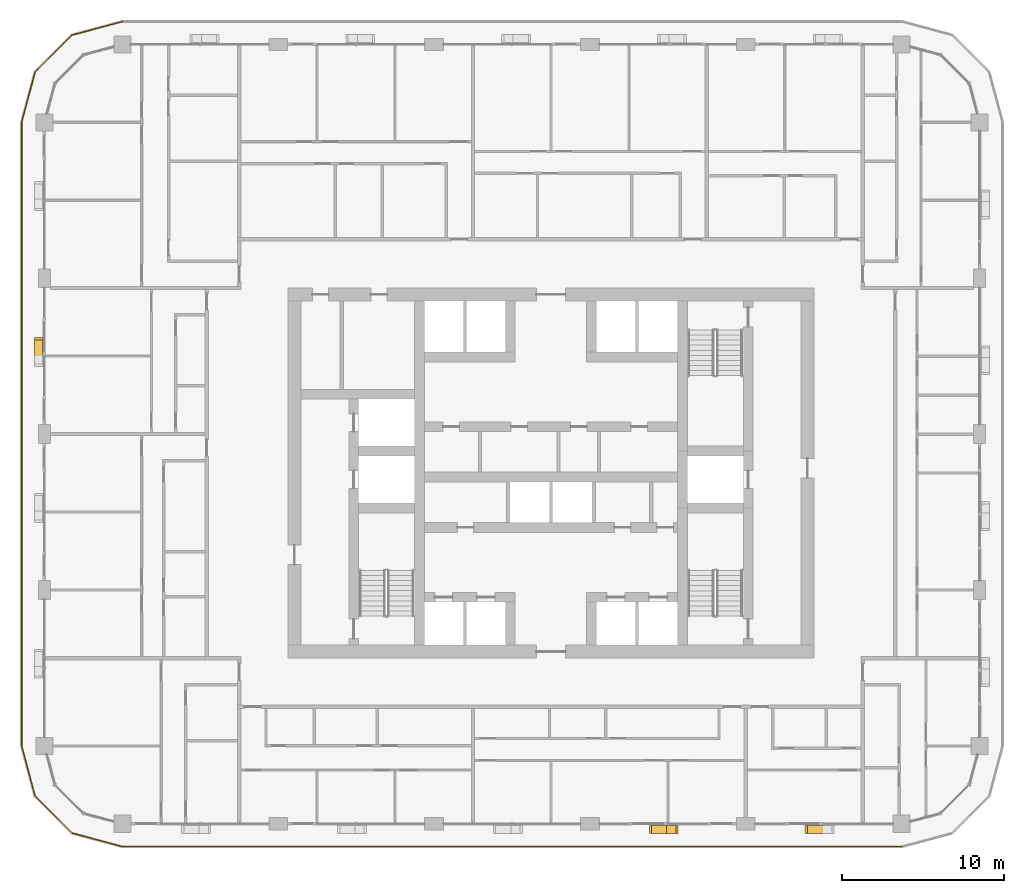
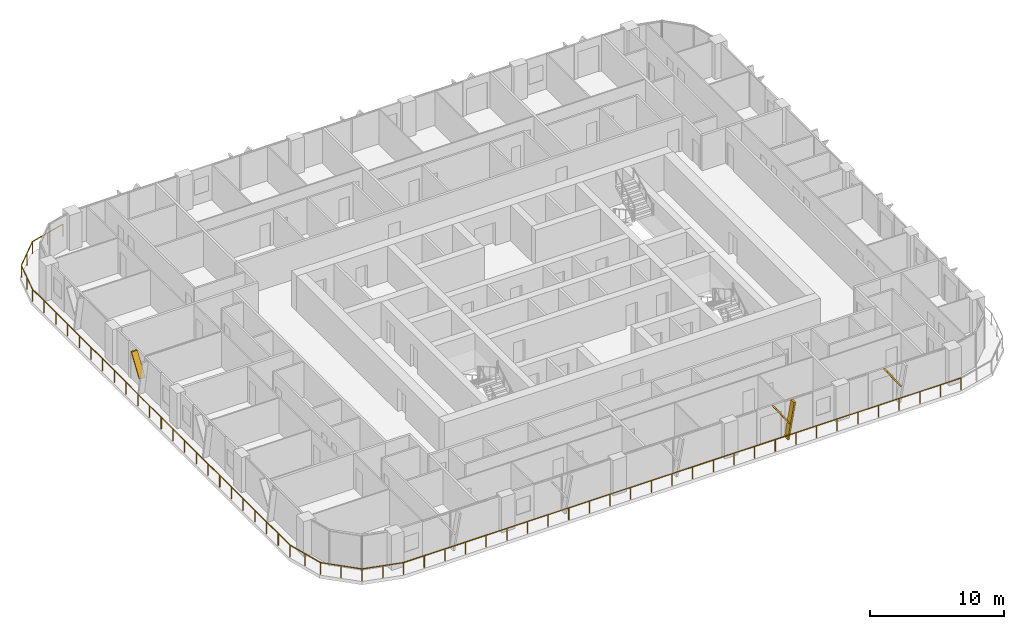
# One storey, part 18 of 22: 4 shading devices, 1 railing.
"""IFC4 building model written with IfcOpenShell, lengths in metres."""

from ifc_helpers import new_model, si_unit, direction, frame, origin, origin_2d, place, context, subcontext, project, spatial, polyline, circle, outline, extrude, material, type_object, element, save


model = new_model("IFC4")

# Units and contexts
model_context = context("Model", 3, precision=1e-05, world=origin(), true_north=direction((0.0, 1.0)))
body_context = subcontext(model_context, "Body", "Model", "MODEL_VIEW")
ifc_project = project(units=[si_unit("LENGTHUNIT", "METRE"), si_unit("AREAUNIT", "SQUARE_METRE"), si_unit("VOLUMEUNIT", "CUBIC_METRE"), si_unit("PLANEANGLEUNIT", "RADIAN"), si_unit("MASSUNIT", "GRAM", prefix="KILO")], contexts=[model_context])

# Site, building, storey
site_placement = place(None, origin())
site = spatial("IfcSite", under=ifc_project, at=site_placement, CompositionType="ELEMENT")
building_placement = place(site_placement, origin())
building = spatial("IfcBuilding", under=site, at=building_placement, Name="Madar Terraces", CompositionType="ELEMENT")
storey_placement = place(building_placement, frame((0.0, 0.0, 126.10009765625)))
storey = spatial("IfcBuildingStorey", under=building, at=storey_placement, Name="L32", CompositionType="ELEMENT", Elevation=126.10009765625)

# Railing
ifc_material_1 = material(Name="Glass, safety glazing, with stainless steel posts", Category="steel")
railing_type = type_object("IfcRailingType", Name="Balcony glass guard 1100", PredefinedType="GUARDRAIL", material=ifc_material_1)
railing_placement = place(storey_placement, frame((4.800048828125, 54.199951171875, 0.0)))
element("IfcRailing", 1, at=railing_placement, inside=storey, type_object=railing_type, Name="Balcony guard", PredefinedType="GUARDRAIL", context=body_context, shape_type="SweptSolid", body=[
    extrude(circle(Radius=0.02392578125, at=origin_2d()), frame((0.0, 0.0, 1.076171875), z_axis=(-0.9659337912, -0.258789317819, 0.0), x_axis=(0.258789317819, -0.9659337912, 0.0)), (0.0, 0.0, 1.0), 3.20947265625),
    extrude(circle(Radius=0.02392578125, at=origin_2d()), frame((-3.10009765625, -0.83056640625, 1.076171875), z_axis=(-0.707106781187, -0.707106781187, 0.0), x_axis=(0.707106781187, -0.707106781187, 0.0)), (0.0, 0.0, 1.0), 3.209228515625),
    extrude(circle(Radius=0.02392578125, at=origin_2d()), frame((-5.369384765625, -3.099853515625, 1.076171875), z_axis=(-0.258789317819, -0.9659337912, 0.0), x_axis=(0.9659337912, -0.258789317819, 0.0)), (0.0, 0.0, 1.0), 3.20947265625),
    extrude(circle(Radius=0.02392578125, at=origin_2d()), frame((-6.199951171875, -6.199951171875, 1.076171875), z_axis=(0.0, -1.0, 0.0), x_axis=(1.0, 0.0, 0.0)), (0.0, 0.0, 1.0), 38.39990234375),
    extrude(circle(Radius=0.02392578125, at=origin_2d()), frame((-6.199951171875, -44.599853515625, 1.076171875), z_axis=(0.258789317819, -0.9659337912, 0.0), x_axis=(0.9659337912, 0.258789317819, 0.0)), (0.0, 0.0, 1.0), 3.20947265625),
    extrude(circle(Radius=0.02392578125, at=origin_2d()), frame((-5.369384765625, -47.699951171875, 1.076171875), z_axis=(0.707106781187, -0.707106781187, 0.0), x_axis=(0.707106781187, 0.707106781187, 0.0)), (0.0, 0.0, 1.0), 3.209228515625),
    extrude(circle(Radius=0.02392578125, at=origin_2d()), frame((-3.10009765625, -49.96923828125, 1.076171875), z_axis=(0.965914773555, -0.258860290944, 0.0), x_axis=(0.258860290944, 0.965914773555, 0.0)), (0.0, 0.0, 1.0), 3.20947265625),
    extrude(circle(Radius=0.02392578125, at=origin_2d()), frame((0.0, -50.800048828125, 1.076171875), z_axis=(1.0, 0.0, 0.0), x_axis=(0.0, 1.0, 0.0)), (0.0, 0.0, 1.0), 48.0),
    extrude(circle(Radius=0.02099609375, at=origin_2d()), origin(), (0.0, 0.0, 1.0), 1.052001953125),
    extrude(circle(Radius=0.02099609375, at=origin_2d()), frame((-1.550048828125, -0.415283203125, 0.0)), (0.0, 0.0, 1.0), 1.052001953125),
    extrude(circle(Radius=0.02099609375, at=origin_2d()), frame((-3.10009765625, -0.83056640625, 0.0)), (0.0, 0.0, 1.0), 1.052001953125),
    extrude(circle(Radius=0.02099609375, at=origin_2d()), frame((-4.23486328125, -1.96533203125, 0.0)), (0.0, 0.0, 1.0), 1.052001953125),
    extrude(circle(Radius=0.02099609375, at=origin_2d()), frame((-5.369384765625, -3.099853515625, 0.0)), (0.0, 0.0, 1.0), 1.052001953125),
    extrude(circle(Radius=0.02099609375, at=origin_2d()), frame((-5.78466796875, -4.64990234375, 0.0)), (0.0, 0.0, 1.0), 1.052001953125),
    extrude(circle(Radius=0.02099609375, at=origin_2d()), frame((-6.199951171875, -6.199951171875, 0.0)), (0.0, 0.0, 1.0), 1.052001953125),
    extrude(circle(Radius=0.02099609375, at=origin_2d()), frame((-6.199951171875, -7.9453125, 0.0)), (0.0, 0.0, 1.0), 1.052001953125),
    extrude(circle(Radius=0.02099609375, at=origin_2d()), frame((-6.199951171875, -9.69091796875, 0.0)), (0.0, 0.0, 1.0), 1.052001953125),
    extrude(circle(Radius=0.02099609375, at=origin_2d()), frame((-6.199951171875, -11.436279296875, 0.0)), (0.0, 0.0, 1.0), 1.052001953125),
    extrude(circle(Radius=0.02099609375, at=origin_2d()), frame((-6.199951171875, -13.181640625, 0.0)), (0.0, 0.0, 1.0), 1.052001953125),
    extrude(circle(Radius=0.02099609375, at=origin_2d()), frame((-6.199951171875, -14.92724609375, 0.0)), (0.0, 0.0, 1.0), 1.052001953125),
    extrude(circle(Radius=0.02099609375, at=origin_2d()), frame((-6.199951171875, -16.672607421875, 0.0)), (0.0, 0.0, 1.0), 1.052001953125),
    extrude(circle(Radius=0.02099609375, at=origin_2d()), frame((-6.199951171875, -18.418212890625, 0.0)), (0.0, 0.0, 1.0), 1.052001953125),
    extrude(circle(Radius=0.02099609375, at=origin_2d()), frame((-6.199951171875, -20.16357421875, 0.0)), (0.0, 0.0, 1.0), 1.052001953125),
    extrude(circle(Radius=0.02099609375, at=origin_2d()), frame((-6.199951171875, -21.908935546875, 0.0)), (0.0, 0.0, 1.0), 1.052001953125),
    extrude(circle(Radius=0.02099609375, at=origin_2d()), frame((-6.199951171875, -23.654541015625, 0.0)), (0.0, 0.0, 1.0), 1.052001953125),
    extrude(circle(Radius=0.02099609375, at=origin_2d()), frame((-6.199951171875, -25.39990234375, 0.0)), (0.0, 0.0, 1.0), 1.052001953125),
    extrude(circle(Radius=0.02099609375, at=origin_2d()), frame((-6.199951171875, -27.145263671875, 0.0)), (0.0, 0.0, 1.0), 1.052001953125),
    extrude(circle(Radius=0.02099609375, at=origin_2d()), frame((-6.199951171875, -28.890869140625, 0.0)), (0.0, 0.0, 1.0), 1.052001953125),
    extrude(circle(Radius=0.02099609375, at=origin_2d()), frame((-6.199951171875, -30.63623046875, 0.0)), (0.0, 0.0, 1.0), 1.052001953125),
    extrude(circle(Radius=0.02099609375, at=origin_2d()), frame((-6.199951171875, -32.381591796875, 0.0)), (0.0, 0.0, 1.0), 1.052001953125),
    extrude(circle(Radius=0.02099609375, at=origin_2d()), frame((-6.199951171875, -34.127197265625, 0.0)), (0.0, 0.0, 1.0), 1.052001953125),
    extrude(circle(Radius=0.02099609375, at=origin_2d()), frame((-6.199951171875, -35.87255859375, 0.0)), (0.0, 0.0, 1.0), 1.052001953125),
    extrude(circle(Radius=0.02099609375, at=origin_2d()), frame((-6.199951171875, -37.6181640625, 0.0)), (0.0, 0.0, 1.0), 1.052001953125),
    extrude(circle(Radius=0.02099609375, at=origin_2d()), frame((-6.199951171875, -39.363525390625, 0.0)), (0.0, 0.0, 1.0), 1.052001953125),
    extrude(circle(Radius=0.02099609375, at=origin_2d()), frame((-6.199951171875, -41.10888671875, 0.0)), (0.0, 0.0, 1.0), 1.052001953125),
    extrude(circle(Radius=0.02099609375, at=origin_2d()), frame((-6.199951171875, -42.8544921875, 0.0)), (0.0, 0.0, 1.0), 1.052001953125),
    extrude(circle(Radius=0.02099609375, at=origin_2d()), frame((-6.199951171875, -44.599853515625, 0.0)), (0.0, 0.0, 1.0), 1.052001953125),
    extrude(circle(Radius=0.02099609375, at=origin_2d()), frame((-5.78466796875, -46.14990234375, 0.0)), (0.0, 0.0, 1.0), 1.052001953125),
    extrude(circle(Radius=0.02099609375, at=origin_2d()), frame((-5.369384765625, -47.699951171875, 0.0)), (0.0, 0.0, 1.0), 1.052001953125),
    extrude(circle(Radius=0.02099609375, at=origin_2d()), frame((-4.23486328125, -48.83447265625, 0.0)), (0.0, 0.0, 1.0), 1.052001953125),
    extrude(circle(Radius=0.02099609375, at=origin_2d()), frame((-3.10009765625, -49.96923828125, 0.0)), (0.0, 0.0, 1.0), 1.052001953125),
    extrude(circle(Radius=0.02099609375, at=origin_2d()), frame((-1.550048828125, -50.384765625, 0.0)), (0.0, 0.0, 1.0), 1.052001953125),
    extrude(circle(Radius=0.02099609375, at=origin_2d()), frame((0.0, -50.800048828125, 0.0)), (0.0, 0.0, 1.0), 1.052001953125),
    extrude(circle(Radius=0.02099609375, at=origin_2d()), frame((1.77783203125, -50.800048828125, 0.0)), (0.0, 0.0, 1.0), 1.052001953125),
    extrude(circle(Radius=0.02099609375, at=origin_2d()), frame((3.5556640625, -50.800048828125, 0.0)), (0.0, 0.0, 1.0), 1.052001953125),
    extrude(circle(Radius=0.02099609375, at=origin_2d()), frame((5.333251953125, -50.800048828125, 0.0)), (0.0, 0.0, 1.0), 1.052001953125),
    extrude(circle(Radius=0.02099609375, at=origin_2d()), frame((7.111083984375, -50.800048828125, 0.0)), (0.0, 0.0, 1.0), 1.052001953125),
    extrude(circle(Radius=0.02099609375, at=origin_2d()), frame((8.888916015625, -50.800048828125, 0.0)), (0.0, 0.0, 1.0), 1.052001953125),
    extrude(circle(Radius=0.02099609375, at=origin_2d()), frame((10.666748046875, -50.800048828125, 0.0)), (0.0, 0.0, 1.0), 1.052001953125),
    extrude(circle(Radius=0.02099609375, at=origin_2d()), frame((12.4443359375, -50.800048828125, 0.0)), (0.0, 0.0, 1.0), 1.052001953125),
    extrude(circle(Radius=0.02099609375, at=origin_2d()), frame((14.22216796875, -50.800048828125, 0.0)), (0.0, 0.0, 1.0), 1.052001953125),
    extrude(circle(Radius=0.02099609375, at=origin_2d()), frame((16.0, -50.800048828125, 0.0)), (0.0, 0.0, 1.0), 1.052001953125),
    extrude(circle(Radius=0.02099609375, at=origin_2d()), frame((17.77783203125, -50.800048828125, 0.0)), (0.0, 0.0, 1.0), 1.052001953125),
    extrude(circle(Radius=0.02099609375, at=origin_2d()), frame((19.5556640625, -50.800048828125, 0.0)), (0.0, 0.0, 1.0), 1.052001953125),
    extrude(circle(Radius=0.02099609375, at=origin_2d()), frame((21.333251953125, -50.800048828125, 0.0)), (0.0, 0.0, 1.0), 1.052001953125),
    extrude(circle(Radius=0.02099609375, at=origin_2d()), frame((23.111083984375, -50.800048828125, 0.0)), (0.0, 0.0, 1.0), 1.052001953125),
    extrude(circle(Radius=0.02099609375, at=origin_2d()), frame((24.888916015625, -50.800048828125, 0.0)), (0.0, 0.0, 1.0), 1.052001953125),
    extrude(circle(Radius=0.02099609375, at=origin_2d()), frame((26.666748046875, -50.800048828125, 0.0)), (0.0, 0.0, 1.0), 1.052001953125),
    extrude(circle(Radius=0.02099609375, at=origin_2d()), frame((28.4443359375, -50.800048828125, 0.0)), (0.0, 0.0, 1.0), 1.052001953125),
    extrude(circle(Radius=0.02099609375, at=origin_2d()), frame((30.22216796875, -50.800048828125, 0.0)), (0.0, 0.0, 1.0), 1.052001953125),
    extrude(circle(Radius=0.02099609375, at=origin_2d()), frame((32.0, -50.800048828125, 0.0)), (0.0, 0.0, 1.0), 1.052001953125),
    extrude(circle(Radius=0.02099609375, at=origin_2d()), frame((33.77783203125, -50.800048828125, 0.0)), (0.0, 0.0, 1.0), 1.052001953125),
    extrude(circle(Radius=0.02099609375, at=origin_2d()), frame((35.5556640625, -50.800048828125, 0.0)), (0.0, 0.0, 1.0), 1.052001953125),
    extrude(circle(Radius=0.02099609375, at=origin_2d()), frame((37.333251953125, -50.800048828125, 0.0)), (0.0, 0.0, 1.0), 1.052001953125),
    extrude(circle(Radius=0.02099609375, at=origin_2d()), frame((39.111083984375, -50.800048828125, 0.0)), (0.0, 0.0, 1.0), 1.052001953125),
    extrude(circle(Radius=0.02099609375, at=origin_2d()), frame((40.888916015625, -50.800048828125, 0.0)), (0.0, 0.0, 1.0), 1.052001953125),
    extrude(circle(Radius=0.02099609375, at=origin_2d()), frame((42.666748046875, -50.800048828125, 0.0)), (0.0, 0.0, 1.0), 1.052001953125),
    extrude(circle(Radius=0.02099609375, at=origin_2d()), frame((44.4443359375, -50.800048828125, 0.0)), (0.0, 0.0, 1.0), 1.052001953125),
    extrude(circle(Radius=0.02099609375, at=origin_2d()), frame((46.22216796875, -50.800048828125, 0.0)), (0.0, 0.0, 1.0), 1.052001953125),
    extrude(circle(Radius=0.02099609375, at=origin_2d()), frame((48.0, -50.800048828125, 0.0)), (0.0, 0.0, 1.0), 1.052001953125),
])

# Shading devices
ifc_material_2 = material(Name="Aluminium, black anodised", Category="aluminium")
shading_device_type = type_object("IfcShadingDeviceType", Name="Facade fin blade 140 x 500", PredefinedType="USERDEFINED", material=ifc_material_2)
shading_device_1_placement = place(storey_placement, frame((38.330078125, 4.449951171875, 0.0), z_axis=(0.0, 0.0, 1.0), x_axis=(1.0, 0.0, 0.0)))
element("IfcShadingDevice", 2, at=shading_device_1_placement, inside=storey, type_object=shading_device_type, Name="FIN L32 S4", ObjectType="FIN", PredefinedType="USERDEFINED", context=body_context, shape_type="SweptSolid", body=[
    extrude(outline(polyline([(0.0, 0.0), (0.139892578125, 0.0), (0.704345703125, 3.199951171875), (0.564208984375, 3.199951171875), (0.0, 0.0)])), frame((0.0, 0.25, 0.0), z_axis=(0.0, -1.0, 0.0), x_axis=(1.0, 0.0, 0.0)), (0.0, 0.0, 1.0), 0.5),
])
shading_device_2_placement = place(storey_placement, frame((38.44384765625, 4.449951171875, 1.43994140625), z_axis=(0.0, 0.0, 1.0), x_axis=(1.0, 0.0, 0.0)))
element("IfcShadingDevice", 3, at=shading_device_2_placement, inside=storey, type_object=shading_device_type, Name="FIN L32 S4 branch", ObjectType="FIN", PredefinedType="USERDEFINED", context=body_context, shape_type="SweptSolid", body=[
    extrude(outline(polyline([(0.0, 0.0), (0.14013671875, 0.0), (-1.049560546875, 1.760009765625), (-1.189697265625, 1.760009765625), (0.0, 0.0)])), frame((0.0, 0.25, 0.0), z_axis=(0.0, -1.0, 0.0), x_axis=(1.0, 0.0, 0.0)), (0.0, 0.0, 1.0), 0.5),
])
shading_device_3_placement = place(storey_placement, frame((48.0439453125, 4.449951171875, 1.43994140625), z_axis=(0.0, 0.0, 1.0), x_axis=(1.0, 0.0, 0.0)))
element("IfcShadingDevice", 4, at=shading_device_3_placement, inside=storey, type_object=shading_device_type, Name="FIN L32 S5 branch", ObjectType="FIN", PredefinedType="USERDEFINED", context=body_context, shape_type="SweptSolid", body=[
    extrude(outline(polyline([(0.0, 0.0), (0.139892578125, 0.0), (-1.049560546875, 1.760009765625), (-1.189697265625, 1.760009765625), (0.0, 0.0)])), frame((0.0, 0.25, 0.0), z_axis=(0.0, -1.0, 0.0), x_axis=(1.0, 0.0, 0.0)), (0.0, 0.0, 1.0), 0.5),
])
shading_device_4_placement = place(storey_placement, frame((-0.35009765625, 33.55615234375, 1.43994140625), z_axis=(0.0, 0.0, 1.0), x_axis=(0.0, -1.0, 0.0)))
element("IfcShadingDevice", 5, at=shading_device_4_placement, inside=storey, type_object=shading_device_type, Name="FIN L32 W2 branch", ObjectType="FIN", PredefinedType="USERDEFINED", context=body_context, shape_type="SweptSolid", body=[
    extrude(outline(polyline([(0.0, 0.0), (0.14013671875, 0.0), (-1.049560546875, 1.760009765625), (-1.189697265625, 1.760009765625), (0.0, 0.0)])), frame((0.0, 0.25, 0.0), z_axis=(0.0, -1.0, 0.0), x_axis=(1.0, 0.0, 0.0)), (0.0, 0.0, 1.0), 0.5),
])

save(model, "model.ifc")
